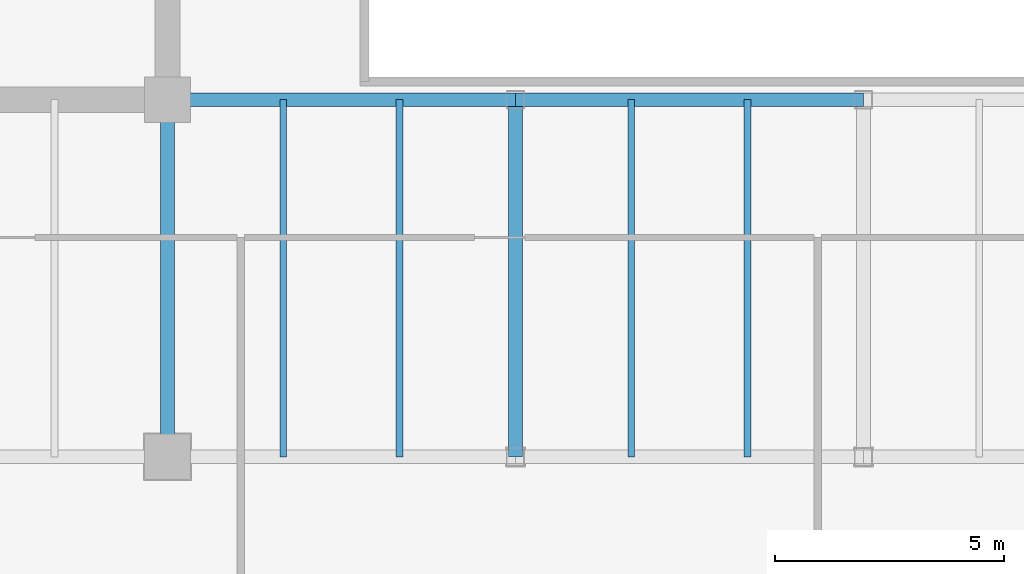
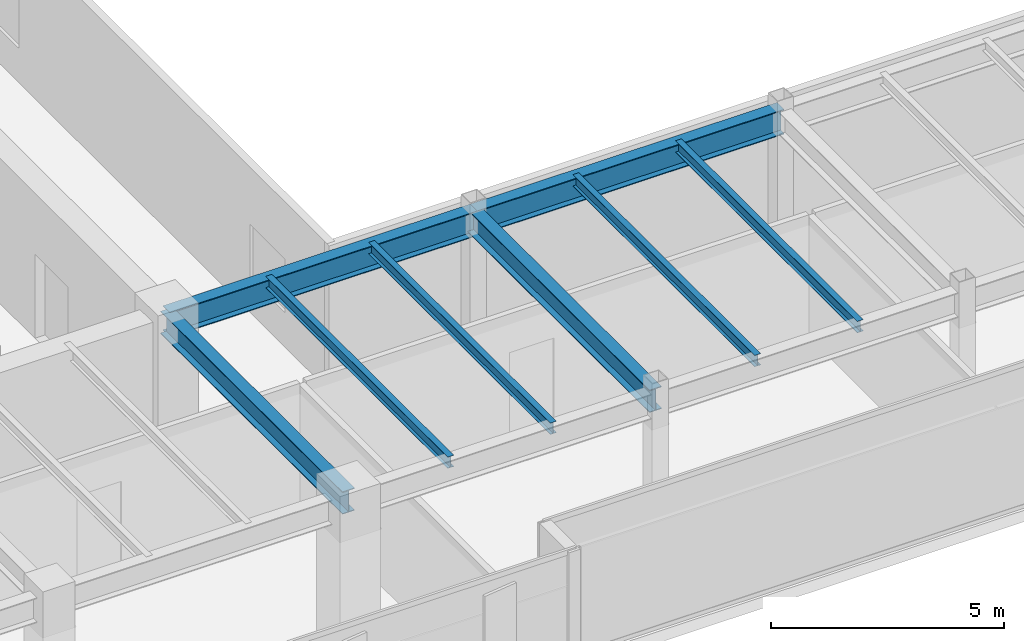
# One storey, part 8 of 36: 8 beams.
"""IFC4 building model written with IfcOpenShell, lengths in metres."""

from ifc_helpers import new_model, si_unit, direction, frame, origin, origin_2d, place, context, subcontext, project, spatial, i_section, extrude, source, transform, mapped, material, material_profile, profile_set, type_object, type_shapes, element, save


model = new_model("IFC4")

# Units and contexts
model_context = context("Model", 3, precision=1e-05, world=origin(), true_north=direction((0.0, 1.0)))
body_context = subcontext(model_context, "Body", "Model", "MODEL_VIEW")
ifc_project = project(units=[si_unit("LENGTHUNIT", "METRE"), si_unit("AREAUNIT", "SQUARE_METRE"), si_unit("VOLUMEUNIT", "CUBIC_METRE"), si_unit("PLANEANGLEUNIT", "RADIAN"), si_unit("MASSUNIT", "GRAM", prefix="KILO")], contexts=[model_context])

# Site, building, storey
site_placement = place(None, origin())
site = spatial("IfcSite", under=ifc_project, at=site_placement, CompositionType="ELEMENT")
building_placement = place(site_placement, origin())
building = spatial("IfcBuilding", under=site, at=building_placement, Name="Haelvirn Gate Laboratories", CompositionType="ELEMENT")
storey_placement = place(building_placement, frame((0.0, 0.0, 242.39990234375)))
storey = spatial("IfcBuildingStorey", under=building, at=storey_placement, Name="L58", CompositionType="ELEMENT", Elevation=242.39990234375)

# Beams
ifc_material = material(Name="Steel SM355", Category="steel")
ifc_material_profile_1 = material_profile(ifc_material, i_section(OverallWidth=0.14990234375, OverallDepth=0.300048828125, WebThickness=0.006591796875, FlangeThickness=0.009033203125, at=origin_2d()), Name="H-300x150x6.5x9")
ifc_profile_set_1 = profile_set([ifc_material_profile_1], Name="Steel SM355")
beam_type_1 = type_object("IfcBeamType", Name="BM-J-300", PredefinedType="JOIST", material=ifc_profile_set_1)
shared_shape_1 = source(origin(), body_context, "Body", "SweptSolid", [
    extrude(i_section(OverallWidth=0.14990234375, OverallDepth=0.300048828125, WebThickness=0.006591796875, FlangeThickness=0.009033203125, at=origin_2d()), origin(), (0.0, 0.0, 1.0), 7.800048828125),
])
type_shapes(beam_type_1, [shared_shape_1])
for number, where, z_axis, x_axis, name in (
    (1, (24.72998046875, 7.0, 3.650146484375), (0.0, 1.0, 0.0), (-1.0, 0.0, 0.0), "L58 Composite Lab Joist South X24.73"),
    (2, (27.27001953125, 7.0, 3.650146484375), (0.0, 1.0, 0.0), (-1.0, 0.0, 0.0), "L58 Composite Lab Joist South X27.27"),
    (3, (32.330078125, 7.0, 3.650146484375), (0.0, 1.0, 0.0), (-1.0, 0.0, 0.0), "L58 Composite Lab Joist South X32.33"),
    (4, (34.8701171875, 7.0, 3.650146484375), (0.0, 1.0, 0.0), (-1.0, 0.0, 0.0), "L58 Composite Lab Joist South X34.87"),
):
    element("IfcBeam", number, at=place(storey_placement, frame(where, z_axis=z_axis, x_axis=x_axis)), inside=storey, type_object=beam_type_1, Name=name, PredefinedType="JOIST", context=body_context, shape_type="MappedRepresentation", body=[
        mapped(shared_shape_1, transform((0.0, 0.0, 0.0), scale=1.0)),
    ])
ifc_material_profile_2 = material_profile(ifc_material, i_section(OverallWidth=0.300048828125, OverallDepth=0.587890625, WebThickness=0.011962890625, FlangeThickness=0.02001953125, at=origin_2d()), Name="H-588x300x12x20")
ifc_profile_set_2 = profile_set([ifc_material_profile_2], Name="Steel SM355")
beam_type_2 = type_object("IfcBeamType", Name="BM-G-588", PredefinedType="BEAM", material=ifc_profile_set_2)
shared_shape_2 = source(origin(), body_context, "Body", "SweptSolid", [
    extrude(i_section(OverallWidth=0.300048828125, OverallDepth=0.587890625, WebThickness=0.011962890625, FlangeThickness=0.02001953125, at=origin_2d()), origin(), (0.0, 0.0, 1.0), 7.800048828125),
])
type_shapes(beam_type_2, [shared_shape_2])
for number, where, z_axis, x_axis, name in (
    (5, (22.199951171875, 7.0, 3.506103515625), (0.0, 1.0, 0.0), (-1.0, 0.0, 0.0), "L58 Frame Girder X22.2 (7.0-14.8)"),
    (6, (29.800048828125, 7.0, 3.506103515625), (0.0, 1.0, 0.0), (-1.0, 0.0, 0.0), "L58 Frame Girder X29.8 (7.0-14.8)"),
):
    element("IfcBeam", number, at=place(storey_placement, frame(where, z_axis=z_axis, x_axis=x_axis)), inside=storey, type_object=beam_type_2, Name=name, PredefinedType="BEAM", context=body_context, shape_type="MappedRepresentation", body=[
        mapped(shared_shape_2, transform((0.0, 0.0, 0.0), scale=1.0)),
    ])
ifc_material_profile_3 = material_profile(ifc_material, i_section(OverallWidth=0.300048828125, OverallDepth=0.64990234375, WebThickness=0.012939453125, FlangeThickness=0.02197265625, at=origin_2d()), Name="H-650x300x13x22")
ifc_profile_set_3 = profile_set([ifc_material_profile_3], Name="Steel SM355")
beam_type_3 = type_object("IfcBeamType", Name="BM-G-650", PredefinedType="BEAM", material=ifc_profile_set_3)
shared_shape_3 = source(origin(), body_context, "Body", "SweptSolid", [
    extrude(i_section(OverallWidth=0.300048828125, OverallDepth=0.64990234375, WebThickness=0.012939453125, FlangeThickness=0.02197265625, at=origin_2d()), origin(), (0.0, 0.0, 1.0), 7.60009765625),
])
beam_1_placement = place(storey_placement, frame((22.199951171875, 14.800048828125, 3.47509765625), z_axis=(1.0, 0.0, 0.0), x_axis=(0.0, 1.0, 0.0)))
element("IfcBeam", 7, at=beam_1_placement, inside=storey, type_object=beam_type_3, Name="L58 Primary Girder Y14.8 (22.2-29.8)", PredefinedType="BEAM", context=body_context, shape_type="MappedRepresentation", body=[
    mapped(shared_shape_3, transform((0.0, 0.0, 0.0), scale=1.0)),
])
shared_shape_4 = source(origin(), body_context, "Body", "SweptSolid", [
    extrude(i_section(OverallWidth=0.300048828125, OverallDepth=0.64990234375, WebThickness=0.012939453125, FlangeThickness=0.02197265625, at=origin_2d()), origin(), (0.0, 0.0, 1.0), 7.599853515625),
])
type_shapes(beam_type_3, [shared_shape_3, shared_shape_4])
beam_2_placement = place(storey_placement, frame((29.800048828125, 14.800048828125, 3.47509765625), z_axis=(1.0, 0.0, 0.0), x_axis=(0.0, 1.0, 0.0)))
element("IfcBeam", 8, at=beam_2_placement, inside=storey, type_object=beam_type_3, Name="L58 Primary Girder Y14.8 (29.8-37.4)", PredefinedType="BEAM", context=body_context, shape_type="MappedRepresentation", body=[
    mapped(shared_shape_4, transform((0.0, 0.0, 0.0), scale=1.0)),
])

save(model, "model.ifc")
